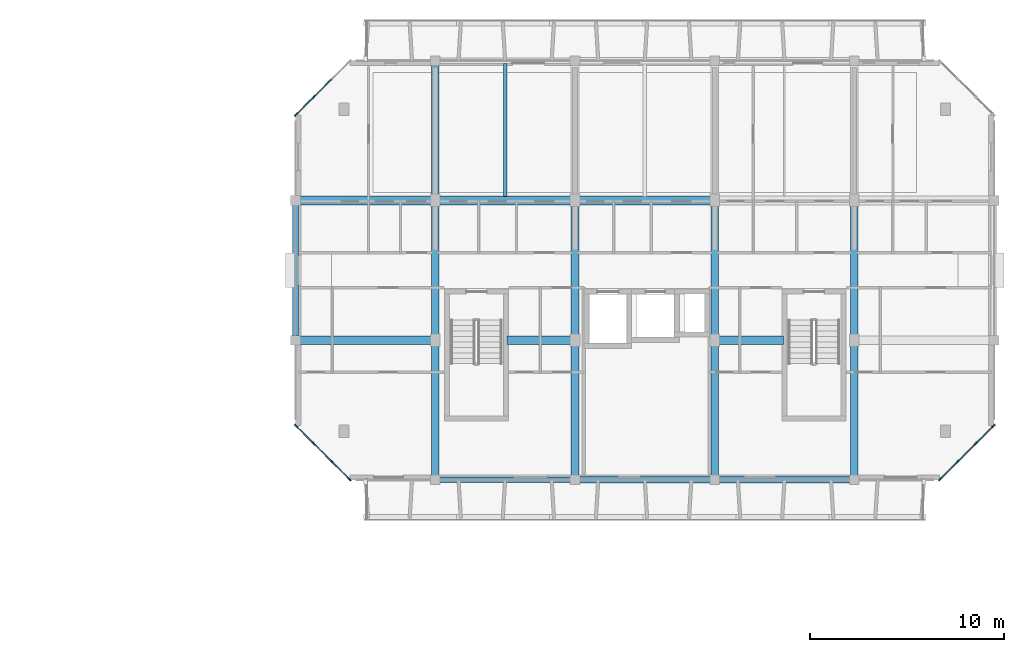
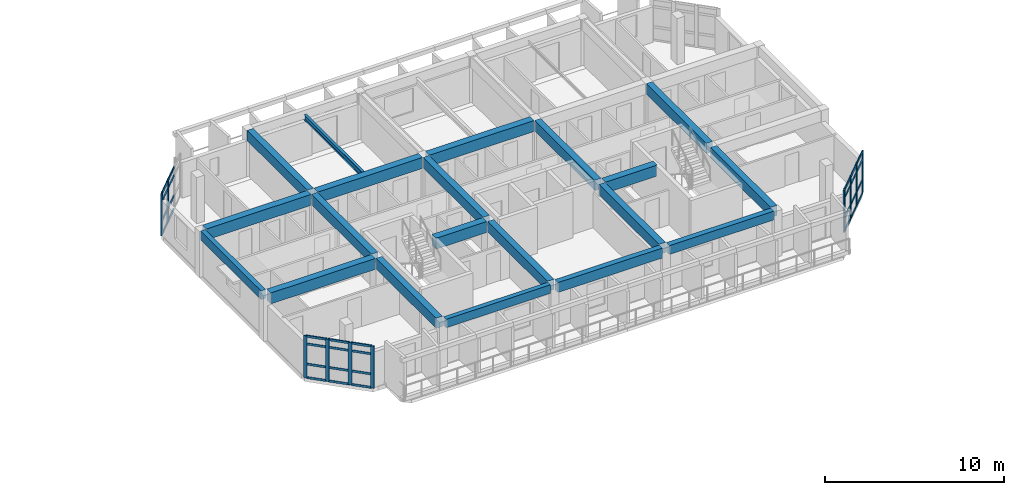
# One storey, part 9 of 45: 42 members, 20 beams, 3 elements without a shape of their own.
"""IFC4 building model written with IfcOpenShell, lengths in metres."""

from ifc_helpers import new_model, si_unit, direction, frame, origin, origin_2d, place, context, subcontext, project, spatial, rectangle, i_section, extrude, material, layer, layer_set, material_profile, profile_set, type_object, element, aggregate, save


model = new_model("IFC4")

# Units and contexts
model_context = context("Model", 3, precision=1e-05, world=origin(), true_north=direction((0.0, 1.0)))
body_context = subcontext(model_context, "Body", "Model", "MODEL_VIEW")
ifc_project = project(units=[si_unit("LENGTHUNIT", "METRE"), si_unit("AREAUNIT", "SQUARE_METRE"), si_unit("VOLUMEUNIT", "CUBIC_METRE"), si_unit("PLANEANGLEUNIT", "RADIAN"), si_unit("MASSUNIT", "GRAM", prefix="KILO")], contexts=[model_context])

# Site, building, storey
site_placement = place(None, origin())
site = spatial("IfcSite", under=ifc_project, at=site_placement, CompositionType="ELEMENT")
building_placement = place(site_placement, origin())
building = spatial("IfcBuilding", under=site, at=building_placement, Name="Ochrevale Crest", CompositionType="ELEMENT")
storey_placement = place(building_placement, frame((0.0, 0.0, 18.14990234375)))
storey = spatial("IfcBuildingStorey", under=building, at=storey_placement, Name="L05", CompositionType="ELEMENT", Elevation=18.14990234375)

# Beams
ifc_material_1 = material(Name="Precast concrete C50/60", Category="concrete")
ifc_material_profile_1 = material_profile(ifc_material_1, rectangle(XDim=0.39990234375, YDim=0.699951171875, at=origin_2d()), Name="PC 400x700")
ifc_profile_set_1 = profile_set([ifc_material_profile_1], Name="Precast concrete C50/60")
beam_type_1 = type_object("IfcBeamType", Name="BM-PC400x700", PredefinedType="BEAM", material=ifc_profile_set_1)
for number, where, z_axis, x_axis, name in (
    (1, (136.800048828125, 72.22998046875, 2.800048828125), (0.0, 1.0, 0.0), (-1.0, 0.0, 0.0), "Block D L05 N-S beam X=136.8"),
    (2, (136.800048828125, 79.429931640625, 2.800048828125), (0.0, 1.0, 0.0), (-1.0, 0.0, 0.0), "Block D L05 N-S beam X=136.8"),
):
    element("IfcBeam", number, at=place(storey_placement, frame(where, z_axis=z_axis, x_axis=x_axis)), inside=storey, type_object=beam_type_1, Name=name, PredefinedType="BEAM", context=body_context, shape_type="SweptSolid", body=[
        extrude(rectangle(XDim=0.39990234375, YDim=0.699951171875, at=origin_2d()), origin(), (0.0, 0.0, 1.0), 6.739990234375),
    ])
beam_1_placement = place(storey_placement, frame((136.800048828125, 86.6298828125, 2.800048828125), z_axis=(0.0, 1.0, 0.0), x_axis=(-1.0, 0.0, 0.0)))
element("IfcBeam", 3, at=beam_1_placement, inside=storey, type_object=beam_type_1, Name="Block D L05 N-S beam X=136.8", PredefinedType="BEAM", context=body_context, shape_type="SweptSolid", body=[
    extrude(rectangle(XDim=0.39990234375, YDim=0.699951171875, at=origin_2d()), origin(), (0.0, 0.0, 1.0), 6.740234375),
])
for number, where, z_axis, x_axis, name in (
    (4, (144.0, 72.22998046875, 2.800048828125), (0.0, 1.0, 0.0), (-1.0, 0.0, 0.0), "Block D L05 N-S beam X=144.0"),
    (5, (144.0, 79.429931640625, 2.800048828125), (0.0, 1.0, 0.0), (-1.0, 0.0, 0.0), "Block D L05 N-S beam X=144.0"),
    (6, (151.199951171875, 72.22998046875, 2.800048828125), (0.0, 1.0, 0.0), (-1.0, 0.0, 0.0), "Block D L05 N-S beam X=151.2"),
    (7, (151.199951171875, 79.429931640625, 2.800048828125), (0.0, 1.0, 0.0), (-1.0, 0.0, 0.0), "Block D L05 N-S beam X=151.2"),
    (8, (158.39990234375, 72.22998046875, 2.800048828125), (0.0, 1.0, 0.0), (-1.0, 0.0, 0.0), "Block D L05 N-S beam X=158.4"),
    (9, (158.39990234375, 79.429931640625, 2.800048828125), (0.0, 1.0, 0.0), (-1.0, 0.0, 0.0), "Block D L05 N-S beam X=158.4"),
):
    element("IfcBeam", number, at=place(storey_placement, frame(where, z_axis=z_axis, x_axis=x_axis)), inside=storey, type_object=beam_type_1, Name=name, PredefinedType="BEAM", context=body_context, shape_type="SweptSolid", body=[
        extrude(rectangle(XDim=0.39990234375, YDim=0.699951171875, at=origin_2d()), origin(), (0.0, 0.0, 1.0), 6.739990234375),
    ])
ifc_material_2 = material(Name="Concrete C50/60", Category="concrete")
ifc_material_profile_2 = material_profile(ifc_material_2, rectangle(XDim=0.449951171875, YDim=0.75, at=origin_2d()), Name="RC 450x750")
ifc_profile_set_2 = profile_set([ifc_material_profile_2], Name="Concrete C50/60")
beam_type_2 = type_object("IfcBeamType", Name="BM-PG450x750", PredefinedType="USERDEFINED", material=ifc_profile_set_2)
beam_2_placement = place(storey_placement, frame((129.824951171875, 79.199951171875, 2.775146484375), z_axis=(1.0, 0.0, 0.0), x_axis=(0.0, 1.0, 0.0)))
element("IfcBeam", 10, at=beam_2_placement, inside=storey, type_object=beam_type_2, Name="Block D L05 E-W beam Y=79.2", ObjectType="GIRDER", PredefinedType="USERDEFINED", context=body_context, shape_type="SweptSolid", body=[
    extrude(rectangle(XDim=0.449951171875, YDim=0.75, at=origin_2d()), origin(), (0.0, 0.0, 1.0), 6.75),
])
beam_3_placement = place(storey_placement, frame((140.489990234375, 79.199951171875, 2.775146484375), z_axis=(1.0, 0.0, 0.0), x_axis=(0.0, 1.0, 0.0)))
element("IfcBeam", 11, at=beam_3_placement, inside=storey, type_object=beam_type_2, Name="Block D L05 E-W beam Y=79.2", ObjectType="GIRDER", PredefinedType="USERDEFINED", context=body_context, shape_type="SweptSolid", body=[
    extrude(rectangle(XDim=0.449951171875, YDim=0.75, at=origin_2d()), origin(), (0.0, 0.0, 1.0), 3.284912109375),
])
beam_4_placement = place(storey_placement, frame((151.425048828125, 79.199951171875, 2.775146484375), z_axis=(1.0, 0.0, 0.0), x_axis=(0.0, 1.0, 0.0)))
element("IfcBeam", 12, at=beam_4_placement, inside=storey, type_object=beam_type_2, Name="Block D L05 E-W beam Y=79.2", ObjectType="GIRDER", PredefinedType="USERDEFINED", context=body_context, shape_type="SweptSolid", body=[
    extrude(rectangle(XDim=0.449951171875, YDim=0.75, at=origin_2d()), origin(), (0.0, 0.0, 1.0), 3.3349609375),
])
for number, where, z_axis, x_axis, name in (
    (13, (129.824951171875, 86.39990234375, 2.775146484375), (1.0, 0.0, 0.0), (0.0, 1.0, 0.0), "Block D L05 E-W beam Y=86.4"),
    (14, (137.02490234375, 86.39990234375, 2.775146484375), (1.0, 0.0, 0.0), (0.0, 1.0, 0.0), "Block D L05 E-W beam Y=86.4"),
    (15, (144.22509765625, 86.39990234375, 2.775146484375), (1.0, 0.0, 0.0), (0.0, 1.0, 0.0), "Block D L05 E-W beam Y=86.4"),
):
    element("IfcBeam", number, at=place(storey_placement, frame(where, z_axis=z_axis, x_axis=x_axis)), inside=storey, type_object=beam_type_2, Name=name, ObjectType="GIRDER", PredefinedType="USERDEFINED", context=body_context, shape_type="SweptSolid", body=[
        extrude(rectangle(XDim=0.449951171875, YDim=0.75, at=origin_2d()), origin(), (0.0, 0.0, 1.0), 6.75),
    ])
ifc_material_3 = material(Name="Precast concrete C40/50", Category="concrete")
ifc_material_profile_3 = material_profile(ifc_material_3, rectangle(XDim=0.300048828125, YDim=0.580078125, at=origin_2d()), Name="PC 300x580")
ifc_profile_set_3 = profile_set([ifc_material_profile_3], Name="Precast concrete C40/50")
beam_type_3 = type_object("IfcBeamType", Name="BM-SP300x580", PredefinedType="SPANDREL", material=ifc_profile_set_3)
beam_5_placement = place(storey_placement, frame((137.02490234375, 72.0, 2.860107421875), z_axis=(1.0, 0.0, 0.0), x_axis=(0.0, 1.0, 0.0)))
element("IfcBeam", 16, at=beam_5_placement, inside=storey, type_object=beam_type_3, Name="Block D L05 E-W beam Y=72.0", PredefinedType="SPANDREL", context=body_context, shape_type="SweptSolid", body=[
    extrude(rectangle(XDim=0.300048828125, YDim=0.580078125, at=origin_2d()), origin(), (0.0, 0.0, 1.0), 6.75),
])
ifc_material_profile_4 = material_profile(ifc_material_3, rectangle(XDim=0.300048828125, YDim=0.60009765625, at=origin_2d()), Name="PC 300x600")
ifc_profile_set_4 = profile_set([ifc_material_profile_4], Name="Precast concrete C40/50")
beam_type_4 = type_object("IfcBeamType", Name="BM-SP300x600", PredefinedType="SPANDREL", material=ifc_profile_set_4)
beam_6_placement = place(storey_placement, frame((129.60009765625, 79.429931640625, 2.85009765625), z_axis=(0.0, 1.0, 0.0), x_axis=(-1.0, 0.0, 0.0)))
element("IfcBeam", 17, at=beam_6_placement, inside=storey, type_object=beam_type_4, Name="Block D L05 N-S beam X=129.6", PredefinedType="SPANDREL", context=body_context, shape_type="SweptSolid", body=[
    extrude(rectangle(XDim=0.300048828125, YDim=0.60009765625, at=origin_2d()), origin(), (0.0, 0.0, 1.0), 6.739990234375),
])
ifc_material_profile_5 = material_profile(ifc_material_3, rectangle(XDim=0.35009765625, YDim=0.60009765625, at=origin_2d()), Name="PC 350x600")
ifc_profile_set_5 = profile_set([ifc_material_profile_5], Name="Precast concrete C40/50")
beam_type_5 = type_object("IfcBeamType", Name="BM-SP350x600", PredefinedType="SPANDREL", material=ifc_profile_set_5)
beam_7_placement = place(storey_placement, frame((151.425048828125, 72.0, 2.85009765625), z_axis=(1.0, 0.0, 0.0), x_axis=(0.0, 1.0, 0.0)))
element("IfcBeam", 18, at=beam_7_placement, inside=storey, type_object=beam_type_5, Name="Block D L05 E-W beam Y=72.0", PredefinedType="SPANDREL", context=body_context, shape_type="SweptSolid", body=[
    extrude(rectangle(XDim=0.35009765625, YDim=0.60009765625, at=origin_2d()), origin(), (0.0, 0.0, 1.0), 6.75),
])
ifc_material_profile_6 = material_profile(ifc_material_3, rectangle(XDim=0.35009765625, YDim=0.679931640625, at=origin_2d()), Name="PC 350x680")
ifc_profile_set_6 = profile_set([ifc_material_profile_6], Name="Precast concrete C40/50")
beam_type_6 = type_object("IfcBeamType", Name="BM-SP350x680", PredefinedType="SPANDREL", material=ifc_profile_set_6)
beam_8_placement = place(storey_placement, frame((144.22509765625, 72.0, 2.81005859375), z_axis=(1.0, 0.0, 0.0), x_axis=(0.0, 1.0, 0.0)))
element("IfcBeam", 19, at=beam_8_placement, inside=storey, type_object=beam_type_6, Name="Block D L05 E-W beam Y=72.0", PredefinedType="SPANDREL", context=body_context, shape_type="SweptSolid", body=[
    extrude(rectangle(XDim=0.35009765625, YDim=0.679931640625, at=origin_2d()), origin(), (0.0, 0.0, 1.0), 6.75),
])
ifc_material_4 = material(Name="Steel S355", Category="steel")
ifc_material_profile_7 = material_profile(ifc_material_4, i_section(OverallWidth=0.172119140625, OverallDepth=0.358642578125, WebThickness=0.008056640625, FlangeThickness=0.012939453125, FilletRadius=0.011474609375, at=origin_2d()), Name="360UB56.7")
ifc_profile_set_7 = profile_set([ifc_material_profile_7], Name="Steel S355")
beam_type_7 = type_object("IfcBeamType", Name="BM-UB360B", PredefinedType="BEAM", material=ifc_profile_set_7)
beam_9_placement = place(storey_placement, frame((140.39990234375, 86.613037109375, 2.69580078125), z_axis=(0.0, 1.0, 0.0), x_axis=(-1.0, 0.0, 0.0)))
element("IfcBeam", 20, at=beam_9_placement, inside=storey, type_object=beam_type_7, Name="Block D L05 composite plank trimmer beam 2", PredefinedType="BEAM", context=body_context, shape_type="SweptSolid", body=[
    extrude(i_section(OverallWidth=0.172119140625, OverallDepth=0.358642578125, WebThickness=0.008056640625, FlangeThickness=0.012939453125, FilletRadius=0.011474609375, at=origin_2d()), origin(), (0.0, 0.0, 1.0), 6.848876953125),
])

# Curtain wall, members
ifc_material_5 = material(Name="Anodised aluminium 6063-T5", Category="aluminium")
ifc_layer_1 = layer(ifc_material_5, 0.14990234375)
ifc_layer_set_1 = layer_set([ifc_layer_1], Name="Anodised aluminium 6063-T5")
curtain_wall_type_1 = type_object("IfcCurtainWallType", Name="CW-WG-320x285", PredefinedType="NOTDEFINED", material=ifc_layer_set_1)
curtain_wall_1_placement = place(storey_placement, origin())
curtain_wall_1 = element("IfcCurtainWall", 21, at=curtain_wall_1_placement, inside=storey, type_object=curtain_wall_type_1, Name="Block D L05 chamfered corner wintergarden curtain wall 2", PredefinedType="NOTDEFINED")
ifc_material_profile_8 = material_profile(ifc_material_5, rectangle(XDim=0.074951171875, YDim=0.219970703125, at=origin_2d()), Name="ALU 75x220")
ifc_profile_set_8 = profile_set([ifc_material_profile_8], Name="Anodised aluminium 6063-T5")
member_type_1 = type_object("IfcMemberType", Name="CW-MUL-75x220", PredefinedType="MULLION", material=ifc_profile_set_8)
member_1_placement = place(storey_placement, frame((162.826416015625, 72.026611328125, 0.0), z_axis=(0.0, 0.0, 1.0), x_axis=(-0.707106781187, 0.707106781187, 0.0)))
member_1 = element("IfcMember", 22, at=member_1_placement, type_object=member_type_1, Name="CW17 mullion 1", PredefinedType="MULLION", context=body_context, shape_type="SweptSolid", body=[
    extrude(rectangle(XDim=0.074951171875, YDim=0.219970703125, at=origin_2d()), origin(), (0.0, 0.0, 1.0), 2.875),
])
member_2_placement = place(storey_placement, frame((163.7333984375, 72.933349609375, 0.0), z_axis=(0.0, 0.0, 1.0), x_axis=(-0.707106781187, 0.707106781187, 0.0)))
member_2 = element("IfcMember", 23, at=member_2_placement, type_object=member_type_1, Name="CW17 mullion 2", PredefinedType="MULLION", context=body_context, shape_type="SweptSolid", body=[
    extrude(rectangle(XDim=0.074951171875, YDim=0.219970703125, at=origin_2d()), origin(), (0.0, 0.0, 1.0), 2.875),
])
member_3_placement = place(storey_placement, frame((164.666748046875, 73.86669921875, 0.0), z_axis=(0.0, 0.0, 1.0), x_axis=(-0.707106781187, 0.707106781187, 0.0)))
member_3 = element("IfcMember", 24, at=member_3_placement, type_object=member_type_1, Name="CW17 mullion 3", PredefinedType="MULLION", context=body_context, shape_type="SweptSolid", body=[
    extrude(rectangle(XDim=0.074951171875, YDim=0.219970703125, at=origin_2d()), origin(), (0.0, 0.0, 1.0), 2.875),
])
member_4_placement = place(storey_placement, frame((165.573486328125, 74.7734375, 0.0), z_axis=(0.0, 0.0, 1.0), x_axis=(-0.707106781187, 0.707106781187, 0.0)))
member_4 = element("IfcMember", 25, at=member_4_placement, type_object=member_type_1, Name="CW17 mullion 4", PredefinedType="MULLION", context=body_context, shape_type="SweptSolid", body=[
    extrude(rectangle(XDim=0.074951171875, YDim=0.219970703125, at=origin_2d()), origin(), (0.0, 0.0, 1.0), 2.875),
])

ifc_layer_2 = layer(ifc_material_5, 0.14990234375)
ifc_layer_set_2 = layer_set([ifc_layer_2], Name="Anodised aluminium 6063-T5")
curtain_wall_type_2 = type_object("IfcCurtainWallType", Name="CW-WG-280x285", PredefinedType="NOTDEFINED", material=ifc_layer_set_2)
curtain_wall_2_placement = place(storey_placement, origin())
curtain_wall_2 = element("IfcCurtainWall", 26, at=curtain_wall_2_placement, inside=storey, type_object=curtain_wall_type_2, Name="Block D L05 chamfered corner wintergarden curtain wall 6", PredefinedType="NOTDEFINED")
member_5_placement = place(storey_placement, frame((130.533447265625, 91.7333984375, 0.0), z_axis=(0.0, 0.0, 1.0), x_axis=(0.707106781187, -0.707106781187, 0.0)))
member_5 = element("IfcMember", 27, at=member_5_placement, type_object=member_type_1, Name="CW16 mullion 3", PredefinedType="MULLION", context=body_context, shape_type="SweptSolid", body=[
    extrude(rectangle(XDim=0.074951171875, YDim=0.219970703125, at=origin_2d()), origin(), (0.0, 0.0, 1.0), 2.875),
])
member_6_placement = place(storey_placement, frame((129.62646484375, 90.826416015625, 0.0), z_axis=(0.0, 0.0, 1.0), x_axis=(0.707106781187, -0.707106781187, 0.0)))
member_6 = element("IfcMember", 28, at=member_6_placement, type_object=member_type_1, Name="CW16 mullion 4", PredefinedType="MULLION", context=body_context, shape_type="SweptSolid", body=[
    extrude(rectangle(XDim=0.074951171875, YDim=0.219970703125, at=origin_2d()), origin(), (0.0, 0.0, 1.0), 2.875),
])

ifc_layer_3 = layer(ifc_material_5, 0.14990234375)
ifc_layer_set_3 = layer_set([ifc_layer_3], Name="Anodised aluminium 6063-T5")
curtain_wall_type_3 = type_object("IfcCurtainWallType", Name="CW-WG-360x285", PredefinedType="NOTDEFINED", material=ifc_layer_set_3)
curtain_wall_3_placement = place(storey_placement, origin())
curtain_wall_3 = element("IfcCurtainWall", 29, at=curtain_wall_3_placement, inside=storey, type_object=curtain_wall_type_3, Name="Block D L05 chamfered corner wintergarden curtain wall 8", PredefinedType="NOTDEFINED")
member_7_placement = place(storey_placement, frame((129.62646484375, 74.7734375, 0.0), z_axis=(0.0, 0.0, 1.0), x_axis=(0.707106781187, 0.707106781187, 0.0)))
member_7 = element("IfcMember", 30, at=member_7_placement, type_object=member_type_1, Name="CW18 mullion 1", PredefinedType="MULLION", context=body_context, shape_type="SweptSolid", body=[
    extrude(rectangle(XDim=0.074951171875, YDim=0.219970703125, at=origin_2d()), origin(), (0.0, 0.0, 1.0), 2.875),
])
member_8_placement = place(storey_placement, frame((130.533447265625, 73.86669921875, 0.0), z_axis=(0.0, 0.0, 1.0), x_axis=(0.707106781187, 0.707106781187, 0.0)))
member_8 = element("IfcMember", 31, at=member_8_placement, type_object=member_type_1, Name="CW18 mullion 2", PredefinedType="MULLION", context=body_context, shape_type="SweptSolid", body=[
    extrude(rectangle(XDim=0.074951171875, YDim=0.219970703125, at=origin_2d()), origin(), (0.0, 0.0, 1.0), 2.875),
])
member_9_placement = place(storey_placement, frame((131.466552734375, 72.933349609375, 0.0), z_axis=(0.0, 0.0, 1.0), x_axis=(0.707106781187, 0.707106781187, 0.0)))
member_9 = element("IfcMember", 32, at=member_9_placement, type_object=member_type_1, Name="CW18 mullion 3", PredefinedType="MULLION", context=body_context, shape_type="SweptSolid", body=[
    extrude(rectangle(XDim=0.074951171875, YDim=0.219970703125, at=origin_2d()), origin(), (0.0, 0.0, 1.0), 2.875),
])
member_10_placement = place(storey_placement, frame((132.37353515625, 72.026611328125, 0.0), z_axis=(0.0, 0.0, 1.0), x_axis=(0.707106781187, 0.707106781187, 0.0)))
member_10 = element("IfcMember", 33, at=member_10_placement, type_object=member_type_1, Name="CW18 mullion 4", PredefinedType="MULLION", context=body_context, shape_type="SweptSolid", body=[
    extrude(rectangle(XDim=0.074951171875, YDim=0.219970703125, at=origin_2d()), origin(), (0.0, 0.0, 1.0), 2.875),
])

# Member
ifc_material_profile_9 = material_profile(ifc_material_5, rectangle(XDim=0.06005859375, YDim=0.14990234375, at=origin_2d()), Name="ALU 60x150")
ifc_profile_set_9 = profile_set([ifc_material_profile_9], Name="Anodised aluminium 6063-T5")
member_type_2 = type_object("IfcMemberType", Name="CW-TRN-60x150", PredefinedType="USERDEFINED", material=ifc_profile_set_9)
member_11_placement = place(storey_placement, frame((162.85302734375, 72.052978515625, 0.030029296875), z_axis=(0.707106781187, 0.707106781187, 0.0), x_axis=(-0.707106781187, 0.707106781187, 0.0)))
member_11 = element("IfcMember", 34, at=member_11_placement, type_object=member_type_2, Name="CW17 transom 1.1", ObjectType="TRANSOM", PredefinedType="USERDEFINED", context=body_context, shape_type="SweptSolid", body=[
    extrude(rectangle(XDim=0.06005859375, YDim=0.14990234375, at=origin_2d()), origin(), (0.0, 0.0, 1.0), 1.20751953125),
])

member_12_placement = place(storey_placement, frame((162.85302734375, 72.052978515625, 0.9501953125), z_axis=(0.707106781187, 0.707106781187, 0.0), x_axis=(-0.707106781187, 0.707106781187, 0.0)))
member_12 = element("IfcMember", 35, at=member_12_placement, type_object=member_type_2, Name="CW17 transom 1.2", ObjectType="TRANSOM", PredefinedType="USERDEFINED", context=body_context, shape_type="SweptSolid", body=[
    extrude(rectangle(XDim=0.06005859375, YDim=0.14990234375, at=origin_2d()), origin(), (0.0, 0.0, 1.0), 1.20751953125),
])

member_13_placement = place(storey_placement, frame((162.85302734375, 72.052978515625, 2.3251953125), z_axis=(0.707106781187, 0.707106781187, 0.0), x_axis=(-0.707106781187, 0.707106781187, 0.0)))
member_13 = element("IfcMember", 36, at=member_13_placement, type_object=member_type_2, Name="CW17 transom 1.3", ObjectType="TRANSOM", PredefinedType="USERDEFINED", context=body_context, shape_type="SweptSolid", body=[
    extrude(rectangle(XDim=0.06005859375, YDim=0.14990234375, at=origin_2d()), origin(), (0.0, 0.0, 1.0), 1.20751953125),
])

member_14_placement = place(storey_placement, frame((162.85302734375, 72.052978515625, 2.84521484375), z_axis=(0.707106781187, 0.707106781187, 0.0), x_axis=(-0.707106781187, 0.707106781187, 0.0)))
member_14 = element("IfcMember", 37, at=member_14_placement, type_object=member_type_2, Name="CW17 transom 1.4", ObjectType="TRANSOM", PredefinedType="USERDEFINED", context=body_context, shape_type="SweptSolid", body=[
    extrude(rectangle(XDim=0.06005859375, YDim=0.14990234375, at=origin_2d()), origin(), (0.0, 0.0, 1.0), 1.20751953125),
])

member_15_placement = place(storey_placement, frame((163.759765625, 72.9599609375, 0.030029296875), z_axis=(0.707204833848, 0.707008714926, 0.0), x_axis=(-0.707008714926, 0.707204833848, 0.0)))
member_15 = element("IfcMember", 38, at=member_15_placement, type_object=member_type_2, Name="CW17 transom 2.1", ObjectType="TRANSOM", PredefinedType="USERDEFINED", context=body_context, shape_type="SweptSolid", body=[
    extrude(rectangle(XDim=0.06005859375, YDim=0.14990234375, at=origin_2d()), origin(), (0.0, 0.0, 1.0), 1.244873046875),
])

member_16_placement = place(storey_placement, frame((163.759765625, 72.9599609375, 0.9501953125), z_axis=(0.707204833848, 0.707008714926, 0.0), x_axis=(-0.707008714926, 0.707204833848, 0.0)))
member_16 = element("IfcMember", 39, at=member_16_placement, type_object=member_type_2, Name="CW17 transom 2.2", ObjectType="TRANSOM", PredefinedType="USERDEFINED", context=body_context, shape_type="SweptSolid", body=[
    extrude(rectangle(XDim=0.06005859375, YDim=0.14990234375, at=origin_2d()), origin(), (0.0, 0.0, 1.0), 1.244873046875),
])

member_17_placement = place(storey_placement, frame((163.759765625, 72.9599609375, 2.3251953125), z_axis=(0.707204833848, 0.707008714926, 0.0), x_axis=(-0.707008714926, 0.707204833848, 0.0)))
member_17 = element("IfcMember", 40, at=member_17_placement, type_object=member_type_2, Name="CW17 transom 2.3", ObjectType="TRANSOM", PredefinedType="USERDEFINED", context=body_context, shape_type="SweptSolid", body=[
    extrude(rectangle(XDim=0.06005859375, YDim=0.14990234375, at=origin_2d()), origin(), (0.0, 0.0, 1.0), 1.244873046875),
])

member_18_placement = place(storey_placement, frame((163.759765625, 72.9599609375, 2.84521484375), z_axis=(0.707204833848, 0.707008714926, 0.0), x_axis=(-0.707008714926, 0.707204833848, 0.0)))
member_18 = element("IfcMember", 41, at=member_18_placement, type_object=member_type_2, Name="CW17 transom 2.4", ObjectType="TRANSOM", PredefinedType="USERDEFINED", context=body_context, shape_type="SweptSolid", body=[
    extrude(rectangle(XDim=0.06005859375, YDim=0.14990234375, at=origin_2d()), origin(), (0.0, 0.0, 1.0), 1.244873046875),
])

member_19_placement = place(storey_placement, frame((164.693115234375, 73.89306640625, 0.030029296875), z_axis=(0.707005686502, 0.70720786142, 0.0), x_axis=(-0.70720786142, 0.707005686502, 0.0)))
member_19 = element("IfcMember", 42, at=member_19_placement, type_object=member_type_2, Name="CW17 transom 3.1", ObjectType="TRANSOM", PredefinedType="USERDEFINED", context=body_context, shape_type="SweptSolid", body=[
    extrude(rectangle(XDim=0.06005859375, YDim=0.14990234375, at=origin_2d()), origin(), (0.0, 0.0, 1.0), 1.20751953125),
])

member_20_placement = place(storey_placement, frame((164.693115234375, 73.89306640625, 0.9501953125), z_axis=(0.707005686502, 0.70720786142, 0.0), x_axis=(-0.70720786142, 0.707005686502, 0.0)))
member_20 = element("IfcMember", 43, at=member_20_placement, type_object=member_type_2, Name="CW17 transom 3.2", ObjectType="TRANSOM", PredefinedType="USERDEFINED", context=body_context, shape_type="SweptSolid", body=[
    extrude(rectangle(XDim=0.06005859375, YDim=0.14990234375, at=origin_2d()), origin(), (0.0, 0.0, 1.0), 1.20751953125),
])

member_21_placement = place(storey_placement, frame((164.693115234375, 73.89306640625, 2.3251953125), z_axis=(0.707005686502, 0.70720786142, 0.0), x_axis=(-0.70720786142, 0.707005686502, 0.0)))
member_21 = element("IfcMember", 44, at=member_21_placement, type_object=member_type_2, Name="CW17 transom 3.3", ObjectType="TRANSOM", PredefinedType="USERDEFINED", context=body_context, shape_type="SweptSolid", body=[
    extrude(rectangle(XDim=0.06005859375, YDim=0.14990234375, at=origin_2d()), origin(), (0.0, 0.0, 1.0), 1.20751953125),
])

member_22_placement = place(storey_placement, frame((164.693115234375, 73.89306640625, 2.84521484375), z_axis=(0.707005686502, 0.70720786142, 0.0), x_axis=(-0.70720786142, 0.707005686502, 0.0)))
member_22 = element("IfcMember", 45, at=member_22_placement, type_object=member_type_2, Name="CW17 transom 3.4", ObjectType="TRANSOM", PredefinedType="USERDEFINED", context=body_context, shape_type="SweptSolid", body=[
    extrude(rectangle(XDim=0.06005859375, YDim=0.14990234375, at=origin_2d()), origin(), (0.0, 0.0, 1.0), 1.20751953125),
])

aggregate(curtain_wall_1, [member_1, member_2, member_3, member_4, member_11, member_12, member_13, member_14, member_15, member_16, member_17, member_18, member_19, member_20, member_21, member_22])

member_23_placement = place(storey_placement, frame((131.440185546875, 92.64013671875, 0.030029296875), z_axis=(-0.707106781187, -0.707106781187, 0.0), x_axis=(0.707106781187, -0.707106781187, 0.0)))
member_23 = element("IfcMember", 46, at=member_23_placement, type_object=member_type_2, Name="CW16 transom 2.1", ObjectType="TRANSOM", PredefinedType="USERDEFINED", context=body_context, shape_type="SweptSolid", body=[
    extrude(rectangle(XDim=0.06005859375, YDim=0.14990234375, at=origin_2d()), origin(), (0.0, 0.0, 1.0), 1.2451171875),
])

member_24_placement = place(storey_placement, frame((131.440185546875, 92.64013671875, 0.9501953125), z_axis=(-0.707106781187, -0.707106781187, 0.0), x_axis=(0.707106781187, -0.707106781187, 0.0)))
member_24 = element("IfcMember", 47, at=member_24_placement, type_object=member_type_2, Name="CW16 transom 2.2", ObjectType="TRANSOM", PredefinedType="USERDEFINED", context=body_context, shape_type="SweptSolid", body=[
    extrude(rectangle(XDim=0.06005859375, YDim=0.14990234375, at=origin_2d()), origin(), (0.0, 0.0, 1.0), 1.2451171875),
])

member_25_placement = place(storey_placement, frame((131.440185546875, 92.64013671875, 2.3251953125), z_axis=(-0.707106781187, -0.707106781187, 0.0), x_axis=(0.707106781187, -0.707106781187, 0.0)))
member_25 = element("IfcMember", 48, at=member_25_placement, type_object=member_type_2, Name="CW16 transom 2.3", ObjectType="TRANSOM", PredefinedType="USERDEFINED", context=body_context, shape_type="SweptSolid", body=[
    extrude(rectangle(XDim=0.06005859375, YDim=0.14990234375, at=origin_2d()), origin(), (0.0, 0.0, 1.0), 1.2451171875),
])

member_26_placement = place(storey_placement, frame((131.440185546875, 92.64013671875, 2.84521484375), z_axis=(-0.707106781187, -0.707106781187, 0.0), x_axis=(0.707106781187, -0.707106781187, 0.0)))
member_26 = element("IfcMember", 49, at=member_26_placement, type_object=member_type_2, Name="CW16 transom 2.4", ObjectType="TRANSOM", PredefinedType="USERDEFINED", context=body_context, shape_type="SweptSolid", body=[
    extrude(rectangle(XDim=0.06005859375, YDim=0.14990234375, at=origin_2d()), origin(), (0.0, 0.0, 1.0), 1.2451171875),
])

member_27_placement = place(storey_placement, frame((130.5068359375, 91.706787109375, 0.030029296875), z_axis=(-0.707106781187, -0.707106781187, 0.0), x_axis=(0.707106781187, -0.707106781187, 0.0)))
member_27 = element("IfcMember", 50, at=member_27_placement, type_object=member_type_2, Name="CW16 transom 3.1", ObjectType="TRANSOM", PredefinedType="USERDEFINED", context=body_context, shape_type="SweptSolid", body=[
    extrude(rectangle(XDim=0.06005859375, YDim=0.14990234375, at=origin_2d()), origin(), (0.0, 0.0, 1.0), 1.20751953125),
])

member_28_placement = place(storey_placement, frame((130.5068359375, 91.706787109375, 0.9501953125), z_axis=(-0.707106781187, -0.707106781187, 0.0), x_axis=(0.707106781187, -0.707106781187, 0.0)))
member_28 = element("IfcMember", 51, at=member_28_placement, type_object=member_type_2, Name="CW16 transom 3.2", ObjectType="TRANSOM", PredefinedType="USERDEFINED", context=body_context, shape_type="SweptSolid", body=[
    extrude(rectangle(XDim=0.06005859375, YDim=0.14990234375, at=origin_2d()), origin(), (0.0, 0.0, 1.0), 1.20751953125),
])

member_29_placement = place(storey_placement, frame((130.5068359375, 91.706787109375, 2.3251953125), z_axis=(-0.707106781187, -0.707106781187, 0.0), x_axis=(0.707106781187, -0.707106781187, 0.0)))
member_29 = element("IfcMember", 52, at=member_29_placement, type_object=member_type_2, Name="CW16 transom 3.3", ObjectType="TRANSOM", PredefinedType="USERDEFINED", context=body_context, shape_type="SweptSolid", body=[
    extrude(rectangle(XDim=0.06005859375, YDim=0.14990234375, at=origin_2d()), origin(), (0.0, 0.0, 1.0), 1.20751953125),
])

member_30_placement = place(storey_placement, frame((130.5068359375, 91.706787109375, 2.84521484375), z_axis=(-0.707106781187, -0.707106781187, 0.0), x_axis=(0.707106781187, -0.707106781187, 0.0)))
member_30 = element("IfcMember", 53, at=member_30_placement, type_object=member_type_2, Name="CW16 transom 3.4", ObjectType="TRANSOM", PredefinedType="USERDEFINED", context=body_context, shape_type="SweptSolid", body=[
    extrude(rectangle(XDim=0.06005859375, YDim=0.14990234375, at=origin_2d()), origin(), (0.0, 0.0, 1.0), 1.20751953125),
])

aggregate(curtain_wall_2, [member_5, member_6, member_23, member_24, member_25, member_26, member_27, member_28, member_29, member_30])

member_31_placement = place(storey_placement, frame((129.653076171875, 74.7470703125, 0.030029296875), z_axis=(0.707005686502, -0.70720786142, 0.0), x_axis=(0.70720786142, 0.707005686502, 0.0)))
member_31 = element("IfcMember", 54, at=member_31_placement, type_object=member_type_2, Name="CW18 transom 1.1", ObjectType="TRANSOM", PredefinedType="USERDEFINED", context=body_context, shape_type="SweptSolid", body=[
    extrude(rectangle(XDim=0.06005859375, YDim=0.14990234375, at=origin_2d()), origin(), (0.0, 0.0, 1.0), 1.20751953125),
])

member_32_placement = place(storey_placement, frame((129.653076171875, 74.7470703125, 0.9501953125), z_axis=(0.707005686502, -0.70720786142, 0.0), x_axis=(0.70720786142, 0.707005686502, 0.0)))
member_32 = element("IfcMember", 55, at=member_32_placement, type_object=member_type_2, Name="CW18 transom 1.2", ObjectType="TRANSOM", PredefinedType="USERDEFINED", context=body_context, shape_type="SweptSolid", body=[
    extrude(rectangle(XDim=0.06005859375, YDim=0.14990234375, at=origin_2d()), origin(), (0.0, 0.0, 1.0), 1.20751953125),
])

member_33_placement = place(storey_placement, frame((129.653076171875, 74.7470703125, 2.3251953125), z_axis=(0.707005686502, -0.70720786142, 0.0), x_axis=(0.70720786142, 0.707005686502, 0.0)))
member_33 = element("IfcMember", 56, at=member_33_placement, type_object=member_type_2, Name="CW18 transom 1.3", ObjectType="TRANSOM", PredefinedType="USERDEFINED", context=body_context, shape_type="SweptSolid", body=[
    extrude(rectangle(XDim=0.06005859375, YDim=0.14990234375, at=origin_2d()), origin(), (0.0, 0.0, 1.0), 1.20751953125),
])

member_34_placement = place(storey_placement, frame((129.653076171875, 74.7470703125, 2.84521484375), z_axis=(0.707005686502, -0.70720786142, 0.0), x_axis=(0.70720786142, 0.707005686502, 0.0)))
member_34 = element("IfcMember", 57, at=member_34_placement, type_object=member_type_2, Name="CW18 transom 1.4", ObjectType="TRANSOM", PredefinedType="USERDEFINED", context=body_context, shape_type="SweptSolid", body=[
    extrude(rectangle(XDim=0.06005859375, YDim=0.14990234375, at=origin_2d()), origin(), (0.0, 0.0, 1.0), 1.20751953125),
])

member_35_placement = place(storey_placement, frame((130.559814453125, 73.840087890625, 0.030029296875), z_axis=(0.707204833848, -0.707008714926, 0.0), x_axis=(0.707008714926, 0.707204833848, 0.0)))
member_35 = element("IfcMember", 58, at=member_35_placement, type_object=member_type_2, Name="CW18 transom 2.1", ObjectType="TRANSOM", PredefinedType="USERDEFINED", context=body_context, shape_type="SweptSolid", body=[
    extrude(rectangle(XDim=0.06005859375, YDim=0.14990234375, at=origin_2d()), origin(), (0.0, 0.0, 1.0), 1.244873046875),
])

member_36_placement = place(storey_placement, frame((130.559814453125, 73.840087890625, 0.9501953125), z_axis=(0.707204833848, -0.707008714926, 0.0), x_axis=(0.707008714926, 0.707204833848, 0.0)))
member_36 = element("IfcMember", 59, at=member_36_placement, type_object=member_type_2, Name="CW18 transom 2.2", ObjectType="TRANSOM", PredefinedType="USERDEFINED", context=body_context, shape_type="SweptSolid", body=[
    extrude(rectangle(XDim=0.06005859375, YDim=0.14990234375, at=origin_2d()), origin(), (0.0, 0.0, 1.0), 1.244873046875),
])

member_37_placement = place(storey_placement, frame((130.559814453125, 73.840087890625, 2.3251953125), z_axis=(0.707204833848, -0.707008714926, 0.0), x_axis=(0.707008714926, 0.707204833848, 0.0)))
member_37 = element("IfcMember", 60, at=member_37_placement, type_object=member_type_2, Name="CW18 transom 2.3", ObjectType="TRANSOM", PredefinedType="USERDEFINED", context=body_context, shape_type="SweptSolid", body=[
    extrude(rectangle(XDim=0.06005859375, YDim=0.14990234375, at=origin_2d()), origin(), (0.0, 0.0, 1.0), 1.244873046875),
])

member_38_placement = place(storey_placement, frame((130.559814453125, 73.840087890625, 2.84521484375), z_axis=(0.707204833848, -0.707008714926, 0.0), x_axis=(0.707008714926, 0.707204833848, 0.0)))
member_38 = element("IfcMember", 61, at=member_38_placement, type_object=member_type_2, Name="CW18 transom 2.4", ObjectType="TRANSOM", PredefinedType="USERDEFINED", context=body_context, shape_type="SweptSolid", body=[
    extrude(rectangle(XDim=0.06005859375, YDim=0.14990234375, at=origin_2d()), origin(), (0.0, 0.0, 1.0), 1.244873046875),
])

member_39_placement = place(storey_placement, frame((131.4931640625, 72.90673828125, 0.030029296875), z_axis=(0.707106781187, -0.707106781187, 0.0), x_axis=(0.707106781187, 0.707106781187, 0.0)))
member_39 = element("IfcMember", 62, at=member_39_placement, type_object=member_type_2, Name="CW18 transom 3.1", ObjectType="TRANSOM", PredefinedType="USERDEFINED", context=body_context, shape_type="SweptSolid", body=[
    extrude(rectangle(XDim=0.06005859375, YDim=0.14990234375, at=origin_2d()), origin(), (0.0, 0.0, 1.0), 1.20751953125),
])

member_40_placement = place(storey_placement, frame((131.4931640625, 72.90673828125, 0.9501953125), z_axis=(0.707106781187, -0.707106781187, 0.0), x_axis=(0.707106781187, 0.707106781187, 0.0)))
member_40 = element("IfcMember", 63, at=member_40_placement, type_object=member_type_2, Name="CW18 transom 3.2", ObjectType="TRANSOM", PredefinedType="USERDEFINED", context=body_context, shape_type="SweptSolid", body=[
    extrude(rectangle(XDim=0.06005859375, YDim=0.14990234375, at=origin_2d()), origin(), (0.0, 0.0, 1.0), 1.20751953125),
])

member_41_placement = place(storey_placement, frame((131.4931640625, 72.90673828125, 2.3251953125), z_axis=(0.707106781187, -0.707106781187, 0.0), x_axis=(0.707106781187, 0.707106781187, 0.0)))
member_41 = element("IfcMember", 64, at=member_41_placement, type_object=member_type_2, Name="CW18 transom 3.3", ObjectType="TRANSOM", PredefinedType="USERDEFINED", context=body_context, shape_type="SweptSolid", body=[
    extrude(rectangle(XDim=0.06005859375, YDim=0.14990234375, at=origin_2d()), origin(), (0.0, 0.0, 1.0), 1.20751953125),
])

member_42_placement = place(storey_placement, frame((131.4931640625, 72.90673828125, 2.84521484375), z_axis=(0.707106781187, -0.707106781187, 0.0), x_axis=(0.707106781187, 0.707106781187, 0.0)))
member_42 = element("IfcMember", 65, at=member_42_placement, type_object=member_type_2, Name="CW18 transom 3.4", ObjectType="TRANSOM", PredefinedType="USERDEFINED", context=body_context, shape_type="SweptSolid", body=[
    extrude(rectangle(XDim=0.06005859375, YDim=0.14990234375, at=origin_2d()), origin(), (0.0, 0.0, 1.0), 1.20751953125),
])

aggregate(curtain_wall_3, [member_7, member_8, member_9, member_10, member_31, member_32, member_33, member_34, member_35, member_36, member_37, member_38, member_39, member_40, member_41, member_42])

save(model, "model.ifc")
